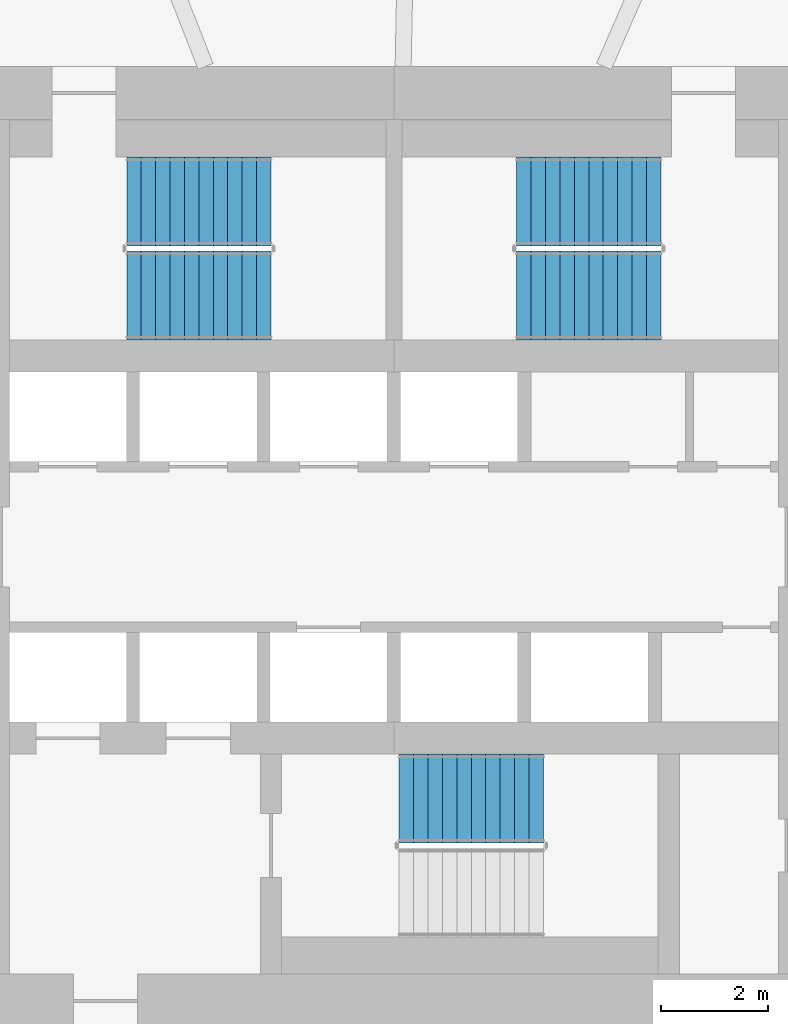
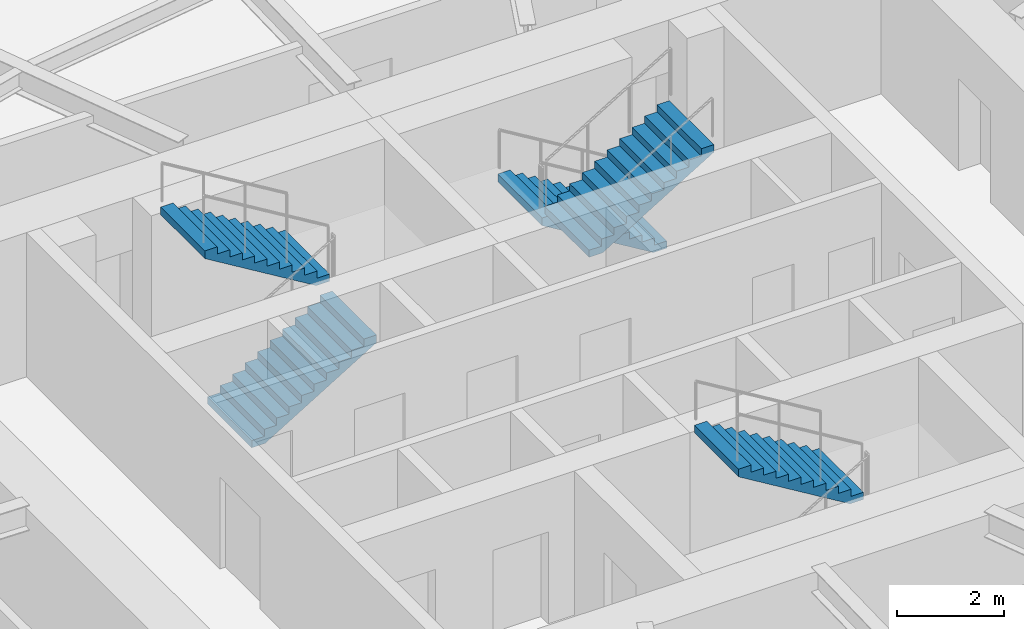
# One storey, part 11 of 15: 5 stair flights, 3 elements without a shape of their own.
"""IFC4 building model written with IfcOpenShell, lengths in metres."""

from ifc_helpers import new_model, si_unit, direction, frame, origin, place, context, subcontext, project, spatial, polyline, outline, extrude, material, type_object, element, aggregate, save


model = new_model("IFC4")

# Units and contexts
model_context = context("Model", 3, precision=1e-05, world=origin(), true_north=direction((0.0, 1.0)))
body_context = subcontext(model_context, "Body", "Model", "MODEL_VIEW")
ifc_project = project(units=[si_unit("LENGTHUNIT", "METRE"), si_unit("AREAUNIT", "SQUARE_METRE"), si_unit("VOLUMEUNIT", "CUBIC_METRE"), si_unit("PLANEANGLEUNIT", "RADIAN"), si_unit("MASSUNIT", "GRAM", prefix="KILO")], contexts=[model_context])

# Site, building, storey
site_placement = place(None, origin())
site = spatial("IfcSite", under=ifc_project, at=site_placement, CompositionType="ELEMENT")
building_placement = place(site_placement, origin())
building = spatial("IfcBuilding", under=site, at=building_placement, Name="Vermilion Reach Broadcast Tower", CompositionType="ELEMENT")
storey_placement = place(building_placement, frame((0.0, 0.0, 161.39990234375)))
storey = spatial("IfcBuildingStorey", under=building, at=storey_placement, Name="L38", CompositionType="ELEMENT", Elevation=161.39990234375)

# Stair, stair flights
ifc_material_1 = material(Name="Concrete C40", Category="concrete")
stair_type = type_object("IfcStairType", Name="Exit stair RC 22 risers 164 mm", PredefinedType="HALF_TURN_STAIR", material=ifc_material_1)
placement = place(storey_placement, origin())
stair_1 = element("IfcStair", 1, at=placement, inside=storey, type_object=stair_type, Name="L38 Exit stair ST1", PredefinedType="HALF_TURN_STAIR")
ifc_material_2 = material(Name="Concrete C40", Category="concrete")
stair_flight_type = type_object("IfcStairFlightType", Name="Exit stair flight RC 11 risers", PredefinedType="STRAIGHT", material=ifc_material_2)
stair_flight_1_placement = place(storey_placement, frame((-11.0, 4.7099609375, 0.0), z_axis=(0.0, 0.0, 1.0), x_axis=(1.0, 0.0, 0.0)))
stair_flight_1 = element("IfcStairFlight", 2, at=stair_flight_1_placement, type_object=stair_flight_type, Name="ST1 flight 1", NumberOfRisers=11, NumberOfTreads=10, PredefinedType="STRAIGHT", RiserHeight=0.163636364, TreadLength=0.27, context=body_context, shape_type="SweptSolid", body=[
    extrude(outline(polyline([(0.0, 0.0), (0.0, 0.16357421875), (0.27001953125, 0.16357421875), (0.27001953125, 0.327392578125), (0.5400390625, 0.327392578125), (0.5400390625, 0.490966796875), (0.81005859375, 0.490966796875), (0.81005859375, 0.654541015625), (1.080078125, 0.654541015625), (1.080078125, 0.818115234375), (1.35009765625, 0.818115234375), (1.35009765625, 0.98193359375), (1.6201171875, 0.98193359375), (1.6201171875, 1.1455078125), (1.889892578125, 1.1455078125), (1.889892578125, 1.30908203125), (2.159912109375, 1.30908203125), (2.159912109375, 1.47265625), (2.429931640625, 1.47265625), (2.429931640625, 1.636474609375), (2.699951171875, 1.636474609375), (2.699951171875, 1.800048828125), (2.699951171875, 1.461181640625), (0.289306640625, 0.0), (0.0, 0.0)])), frame((0.0, 0.830078125, 0.0), z_axis=(0.0, -1.0, 0.0), x_axis=(1.0, 0.0, 0.0)), (0.0, 0.0, 1.0), 1.659912109375),
])
stair_flight_2_placement = place(storey_placement, frame((-8.300048828125, 6.469970703125, 1.800048828125), z_axis=(0.0, 0.0, 1.0), x_axis=(-1.0, 0.0, 0.0)))
stair_flight_2 = element("IfcStairFlight", 3, at=stair_flight_2_placement, type_object=stair_flight_type, Name="ST1 flight 2", NumberOfRisers=11, NumberOfTreads=10, PredefinedType="STRAIGHT", RiserHeight=0.163636364, TreadLength=0.27, context=body_context, shape_type="SweptSolid", body=[
    extrude(outline(polyline([(0.0, 0.0), (0.0, 0.16357421875), (0.27001953125, 0.16357421875), (0.27001953125, 0.327392578125), (0.5400390625, 0.327392578125), (0.5400390625, 0.490966796875), (0.81005859375, 0.490966796875), (0.81005859375, 0.654541015625), (1.080078125, 0.654541015625), (1.080078125, 0.818115234375), (1.35009765625, 0.818115234375), (1.35009765625, 0.98193359375), (1.6201171875, 0.98193359375), (1.6201171875, 1.1455078125), (1.889892578125, 1.1455078125), (1.889892578125, 1.30908203125), (2.159912109375, 1.30908203125), (2.159912109375, 1.47265625), (2.429931640625, 1.47265625), (2.429931640625, 1.636474609375), (2.699951171875, 1.636474609375), (2.699951171875, 1.800048828125), (2.699951171875, 1.461181640625), (0.289306640625, 0.0), (0.0, 0.0)])), frame((0.0, 0.830078125, 0.0), z_axis=(0.0, -1.0, 0.0), x_axis=(1.0, 0.0, 0.0)), (0.0, 0.0, 1.0), 1.659912109375),
])
aggregate(stair_1, [stair_flight_1, stair_flight_2])

stair_2 = element("IfcStair", 4, at=placement, inside=storey, type_object=stair_type, Name="L38 Exit stair ST2", PredefinedType="HALF_TURN_STAIR")
stair_flight_3_placement = place(storey_placement, frame((-1.0, 6.469970703125, 0.0), z_axis=(0.0, 0.0, 1.0), x_axis=(-1.0, 0.0, 0.0)))
stair_flight_3 = element("IfcStairFlight", 5, at=stair_flight_3_placement, type_object=stair_flight_type, Name="ST2 flight 1", NumberOfRisers=11, NumberOfTreads=10, PredefinedType="STRAIGHT", RiserHeight=0.163636364, TreadLength=0.27, context=body_context, shape_type="SweptSolid", body=[
    extrude(outline(polyline([(0.0, 0.0), (0.0, 0.16357421875), (0.27001953125, 0.16357421875), (0.27001953125, 0.327392578125), (0.5400390625, 0.327392578125), (0.5400390625, 0.490966796875), (0.81005859375, 0.490966796875), (0.81005859375, 0.654541015625), (1.080078125, 0.654541015625), (1.080078125, 0.818115234375), (1.35009765625, 0.818115234375), (1.35009765625, 0.98193359375), (1.6201171875, 0.98193359375), (1.6201171875, 1.1455078125), (1.889892578125, 1.1455078125), (1.889892578125, 1.30908203125), (2.159912109375, 1.30908203125), (2.159912109375, 1.47265625), (2.429931640625, 1.47265625), (2.429931640625, 1.636474609375), (2.699951171875, 1.636474609375), (2.699951171875, 1.800048828125), (2.699951171875, 1.461181640625), (0.289306640625, 0.0), (0.0, 0.0)])), frame((0.0, 0.830078125, 0.0), z_axis=(0.0, -1.0, 0.0), x_axis=(1.0, 0.0, 0.0)), (0.0, 0.0, 1.0), 1.659912109375),
])
stair_flight_4_placement = place(storey_placement, frame((-3.699951171875, 4.7099609375, 1.800048828125), z_axis=(0.0, 0.0, 1.0), x_axis=(1.0, 0.0, 0.0)))
stair_flight_4 = element("IfcStairFlight", 6, at=stair_flight_4_placement, type_object=stair_flight_type, Name="ST2 flight 2", NumberOfRisers=11, NumberOfTreads=10, PredefinedType="STRAIGHT", RiserHeight=0.163636364, TreadLength=0.27, context=body_context, shape_type="SweptSolid", body=[
    extrude(outline(polyline([(0.0, 0.0), (0.0, 0.16357421875), (0.27001953125, 0.16357421875), (0.27001953125, 0.327392578125), (0.5400390625, 0.327392578125), (0.5400390625, 0.490966796875), (0.81005859375, 0.490966796875), (0.81005859375, 0.654541015625), (1.080078125, 0.654541015625), (1.080078125, 0.818115234375), (1.35009765625, 0.818115234375), (1.35009765625, 0.98193359375), (1.6201171875, 0.98193359375), (1.6201171875, 1.1455078125), (1.889892578125, 1.1455078125), (1.889892578125, 1.30908203125), (2.159912109375, 1.30908203125), (2.159912109375, 1.47265625), (2.429931640625, 1.47265625), (2.429931640625, 1.636474609375), (2.699951171875, 1.636474609375), (2.699951171875, 1.800048828125), (2.699951171875, 1.461181640625), (0.289306640625, 0.0), (0.0, 0.0)])), frame((0.0, 0.830078125, 0.0), z_axis=(0.0, -1.0, 0.0), x_axis=(1.0, 0.0, 0.0)), (0.0, 0.0, 1.0), 1.659912109375),
])
aggregate(stair_2, [stair_flight_3, stair_flight_4])

# Stair, stair flight
stair_3 = element("IfcStair", 7, at=placement, inside=storey, type_object=stair_type, Name="L38 Exit stair ST3", PredefinedType="HALF_TURN_STAIR")
stair_flight_5_placement = place(storey_placement, frame((-3.199951171875, -4.7099609375, 1.800048828125), z_axis=(0.0, 0.0, 1.0), x_axis=(-1.0, 0.0, 0.0)))
stair_flight_5 = element("IfcStairFlight", 8, at=stair_flight_5_placement, type_object=stair_flight_type, Name="ST3 flight 2", NumberOfRisers=11, NumberOfTreads=10, PredefinedType="STRAIGHT", RiserHeight=0.163636364, TreadLength=0.27, context=body_context, shape_type="SweptSolid", body=[
    extrude(outline(polyline([(0.0, 0.0), (0.0, 0.16357421875), (0.27001953125, 0.16357421875), (0.27001953125, 0.327392578125), (0.5400390625, 0.327392578125), (0.5400390625, 0.490966796875), (0.81005859375, 0.490966796875), (0.81005859375, 0.654541015625), (1.080078125, 0.654541015625), (1.080078125, 0.818115234375), (1.35009765625, 0.818115234375), (1.35009765625, 0.98193359375), (1.6201171875, 0.98193359375), (1.6201171875, 1.1455078125), (1.889892578125, 1.1455078125), (1.889892578125, 1.30908203125), (2.159912109375, 1.30908203125), (2.159912109375, 1.47265625), (2.429931640625, 1.47265625), (2.429931640625, 1.636474609375), (2.699951171875, 1.636474609375), (2.699951171875, 1.800048828125), (2.699951171875, 1.461181640625), (0.289306640625, 0.0), (0.0, 0.0)])), frame((0.0, 0.830078125, 0.0), z_axis=(0.0, -1.0, 0.0), x_axis=(1.0, 0.0, 0.0)), (0.0, 0.0, 1.0), 1.659912109375),
])
aggregate(stair_3, [stair_flight_5])

save(model, "model.ifc")
